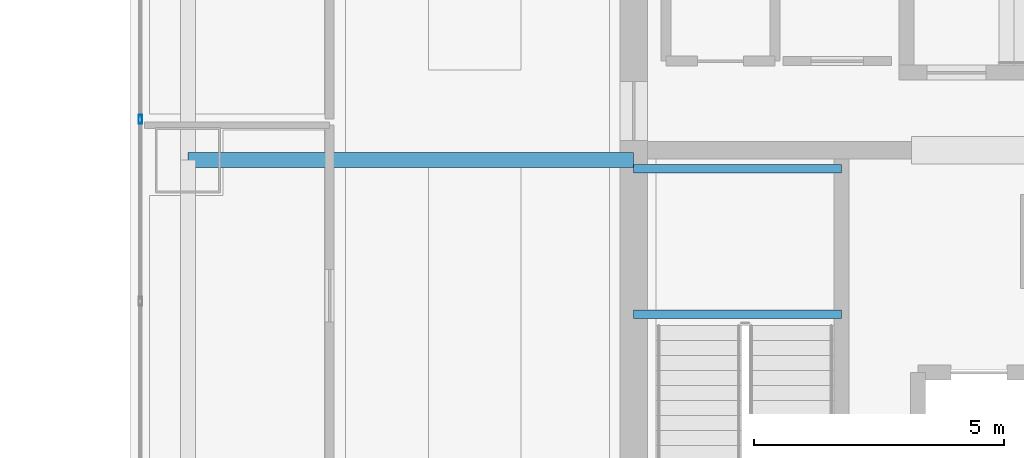
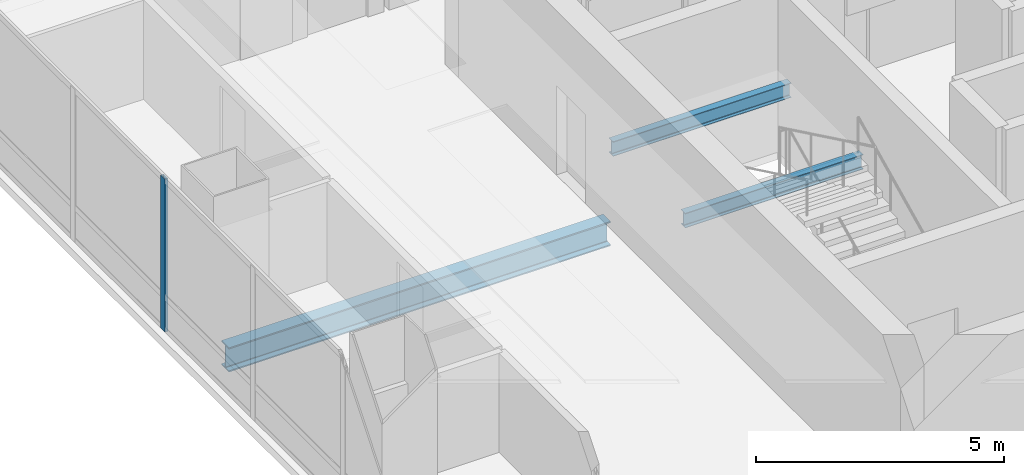
# One storey, part 11 of 51: 3 beams, 1 member, 1 element without a shape of its own.
"""IFC4 building model written with IfcOpenShell, lengths in metres."""

from ifc_helpers import new_model, si_unit, direction, frame, origin, origin_2d, place, context, subcontext, project, spatial, hollow_rectangle, i_section, extrude, material, material_profile, profile_set, type_object, element, aggregate, save


model = new_model("IFC4")

# Units and contexts
model_context = context("Model", 3, precision=1e-05, world=origin(), true_north=direction((0.0, 1.0)))
body_context = subcontext(model_context, "Body", "Model", "MODEL_VIEW")
ifc_project = project(units=[si_unit("LENGTHUNIT", "METRE"), si_unit("AREAUNIT", "SQUARE_METRE"), si_unit("VOLUMEUNIT", "CUBIC_METRE"), si_unit("PLANEANGLEUNIT", "RADIAN"), si_unit("MASSUNIT", "GRAM", prefix="KILO")], contexts=[model_context])

# Site, building, storey
site_placement = place(None, origin())
site = spatial("IfcSite", under=ifc_project, at=site_placement, CompositionType="ELEMENT")
building_placement = place(site_placement, origin())
building = spatial("IfcBuilding", under=site, at=building_placement, Name="Punatoya Terracotta Tower", CompositionType="ELEMENT")
storey_placement = place(building_placement, frame((0.0, 0.0, 279.75)))
storey = spatial("IfcBuildingStorey", under=building, at=storey_placement, Name="L66", CompositionType="ELEMENT", Elevation=279.75)

# Beams
ifc_material_1 = material(Name="Steel S355", Category="steel")
ifc_material_profile_1 = material_profile(ifc_material_1, i_section(OverallWidth=0.300048828125, OverallDepth=0.60009765625, WebThickness=0.015380859375, FlangeThickness=0.030029296875, FilletRadius=0.01806640625, at=origin_2d()))
ifc_profile_set_1 = profile_set([ifc_material_profile_1], Name="Steel S355")
beam_type_1 = type_object("IfcBeamType", Name="BM-PRI-600", PredefinedType="BEAM", material=ifc_profile_set_1)
beam_placement = place(storey_placement, frame((-19.10009765625, 3.39990234375, -0.5), z_axis=(1.0, 0.0, 0.0), x_axis=(0.0, 1.0, 0.0)))
element("IfcBeam", 1, at=beam_placement, inside=storey, type_object=beam_type_1, Name="BM-L66-PR-WE", PredefinedType="BEAM", context=body_context, shape_type="SweptSolid", body=[
    extrude(i_section(OverallWidth=0.300048828125, OverallDepth=0.60009765625, WebThickness=0.015380859375, FlangeThickness=0.030029296875, FilletRadius=0.01806640625, at=origin_2d()), origin(), (0.0, 0.0, 1.0), 8.900146484375),
])
ifc_material_profile_2 = material_profile(ifc_material_1, i_section(OverallWidth=0.169921875, OverallDepth=0.360107421875, WebThickness=0.008056640625, FlangeThickness=0.0126953125, FilletRadius=0.01806640625, at=origin_2d()))
ifc_profile_set_2 = profile_set([ifc_material_profile_2], Name="Steel S355")
beam_type_2 = type_object("IfcBeamType", Name="BM-SEC-360", PredefinedType="JOIST", material=ifc_profile_set_2)
for number, where, z_axis, x_axis, name in (
    (2, (-10.199951171875, 0.320068359375, 1.64501953125), (1.0, 0.0, 0.0), (0.0, 1.0, 0.0), "BM-L66-ST-1-LD1A"),
    (3, (-10.199951171875, 3.22998046875, 1.64501953125), (1.0, 0.0, 0.0), (0.0, 1.0, 0.0), "BM-L66-ST-1-LD1B"),
):
    element("IfcBeam", number, at=place(storey_placement, frame(where, z_axis=z_axis, x_axis=x_axis)), inside=storey, type_object=beam_type_2, Name=name, PredefinedType="JOIST", context=body_context, shape_type="SweptSolid", body=[
        extrude(i_section(OverallWidth=0.169921875, OverallDepth=0.360107421875, WebThickness=0.008056640625, FlangeThickness=0.0126953125, FilletRadius=0.01806640625, at=origin_2d()), origin(), (0.0, 0.0, 1.0), 4.14990234375),
    ])

# Curtain wall, member
ifc_material_2 = material(Name="Aluminium 6063-T6 + Double Low-E Glass", Category="aluminium")
curtain_wall_type = type_object("IfcCurtainWallType", Name="CW-M3", PredefinedType="NOTDEFINED", material=ifc_material_2)
curtain_wall_placement = place(storey_placement, origin())
curtain_wall = element("IfcCurtainWall", 4, at=curtain_wall_placement, inside=storey, type_object=curtain_wall_type, Name="L66 Curtain Wall CW-L66-W13-1", PredefinedType="NOTDEFINED")
ifc_material_3 = material(Name="Aluminium 6063-T6", Category="aluminium")
ifc_material_profile_3 = material_profile(ifc_material_3, hollow_rectangle(XDim=0.070068359375, YDim=0.179931640625, WallThickness=0.00390625, at=origin_2d()))
ifc_profile_set_3 = profile_set([ifc_material_profile_3], Name="Aluminium 6063-T6")
member_type = type_object("IfcMemberType", Name="CW-MUL-M3", PredefinedType="MULLION", material=ifc_profile_set_3)
member_placement = place(storey_placement, frame((-20.050048828125, 4.21435546875, 0.0), z_axis=(0.0, 0.0, 1.0), x_axis=(1.0, 0.0, 0.0)))
member = element("IfcMember", 5, at=member_placement, type_object=member_type, Name="CW-L66-W13-1 Mullion 03", PredefinedType="MULLION", context=body_context, shape_type="SweptSolid", body=[
    extrude(hollow_rectangle(XDim=0.070068359375, YDim=0.179931640625, WallThickness=0.00390625, at=origin_2d()), origin(), (0.0, 0.0, 1.0), 3.77001953125),
])
aggregate(curtain_wall, [member])

save(model, "model.ifc")
